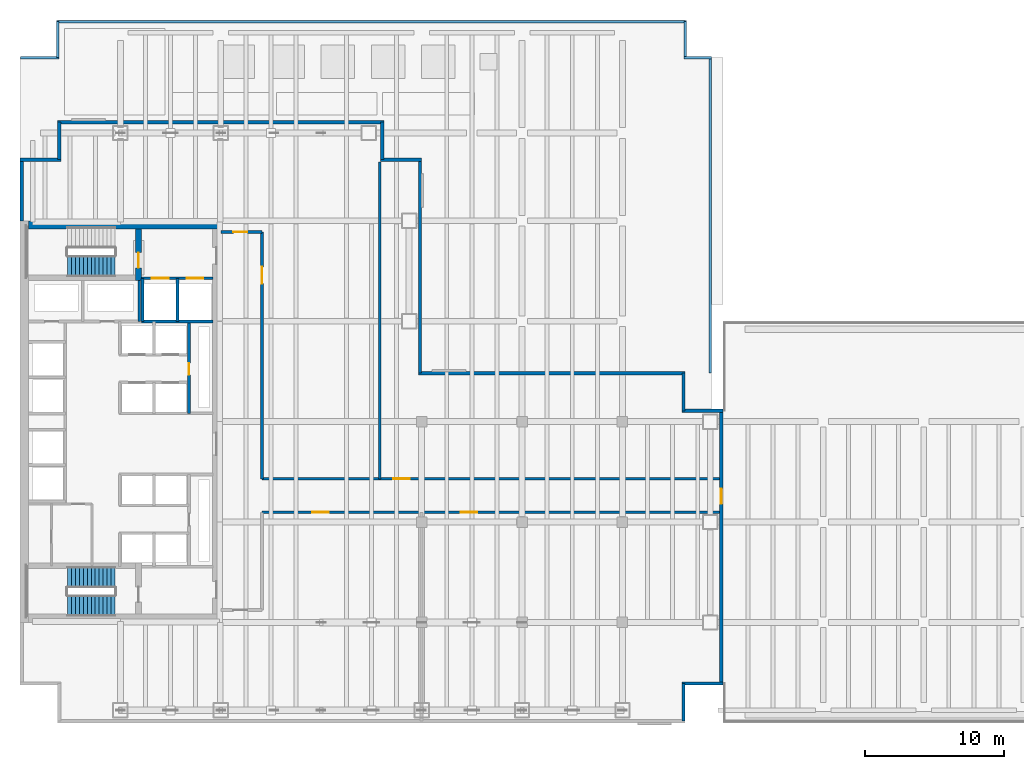
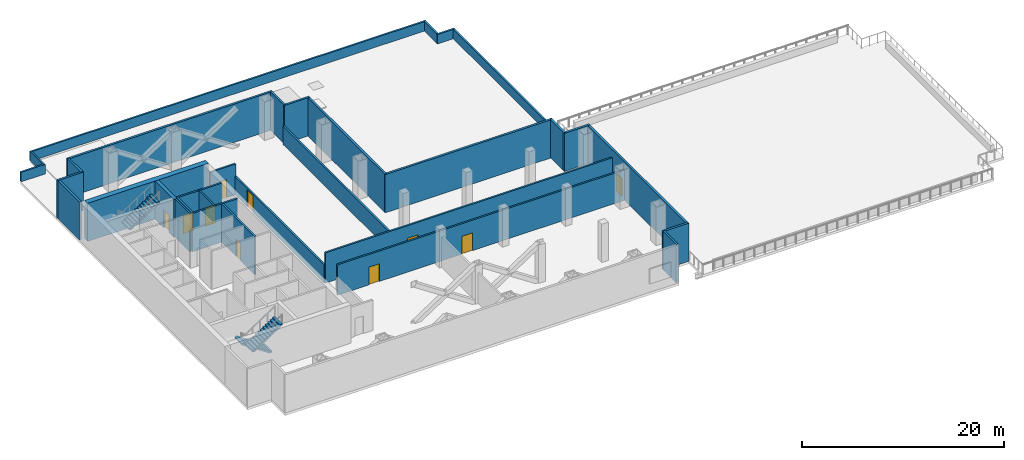
# One storey, part 8 of 12: 32 walls, 10 doors, 3 stair flights, 10 openings, 2 elements without a shape of their own.
"""IFC4 building model written with IfcOpenShell, lengths in metres."""

from ifc_helpers import new_model, si_unit, direction, frame, frame_2d, origin, place, context, subcontext, project, spatial, polyline, rectangle, outline, extrude, material, layer, layer_set, type_object, element, fill, aggregate, save


model = new_model("IFC4")

# Units and contexts
model_context = context("Model", 3, precision=1e-05, world=origin(), true_north=direction((0.0, 1.0)))
body_context = subcontext(model_context, "Body", "Model", "MODEL_VIEW")
ifc_project = project(units=[si_unit("LENGTHUNIT", "METRE"), si_unit("AREAUNIT", "SQUARE_METRE"), si_unit("VOLUMEUNIT", "CUBIC_METRE"), si_unit("PLANEANGLEUNIT", "RADIAN"), si_unit("MASSUNIT", "GRAM", prefix="KILO")], contexts=[model_context])

# Site, building, storey
site_placement = place(None, origin())
site = spatial("IfcSite", under=ifc_project, at=site_placement, CompositionType="ELEMENT")
building_placement = place(site_placement, origin())
building = spatial("IfcBuilding", under=site, at=building_placement, Name="Cobrela Telecom Tower", CompositionType="ELEMENT")
storey_placement = place(building_placement, frame((0.0, 0.0, 26.25)))
storey = spatial("IfcBuildingStorey", under=building, at=storey_placement, Name="L06", CompositionType="ELEMENT", Elevation=26.25)

# Walls
ifc_material_1 = material(Name="Concrete C50/60", Category="concrete")
ifc_layer_1 = layer(ifc_material_1, 0.60009765625)
ifc_layer_set_1 = layer_set([ifc_layer_1], Name="Concrete C50/60")
wall_type_1 = type_object("IfcWallType", Name="WALL-CORE-C50-600", PredefinedType="SHEAR", material=ifc_layer_set_1)
wall_1_placement = place(storey_placement, frame((0.60009765625, 35.699951171875, 0.0), z_axis=(0.0, 0.0, 1.0), x_axis=(1.0, 0.0, 0.0)))
element("IfcWall", 1, at=wall_1_placement, inside=storey, type_object=wall_type_1, Name="L06 North Core Shear Wall", PredefinedType="SHEAR", context=body_context, shape_type="SweptSolid", body=[
    extrude(rectangle(XDim=13.7998046875, YDim=0.60009765625, at=frame_2d((6.89990234375, 0.0))), origin(), (0.0, 0.0, 1.0), 4.6201171875),
])
ifc_material_2 = material(Name="Concrete C40/50", Category="concrete")
ifc_layer_2 = layer(ifc_material_2, 0.239990234375)
ifc_layer_set_2 = layer_set([ifc_layer_2], Name="Concrete C40/50")
wall_type_2 = type_object("IfcWallType", Name="WALL-EXT-300", PredefinedType="STANDARD", material=ifc_layer_set_2)
wall_2_placement = place(storey_placement, frame((0.1201171875, 36.0, 0.0), z_axis=(0.0, 0.0, 1.0), x_axis=(0.0, 1.0, 0.0)))
element("IfcWall", 2, at=wall_2_placement, inside=storey, type_object=wall_type_2, Name="L06 Plant Acoustic Exterior Wall 04", PredefinedType="STANDARD", context=body_context, shape_type="SweptSolid", body=[
    extrude(rectangle(XDim=4.3798828125, YDim=0.239990234375, at=frame_2d((2.18994140625, 0.0))), origin(), (0.0, 0.0, 1.0), 4.6201171875),
])
wall_3_placement = place(storey_placement, frame((0.0, 40.3798828125, 0.0), z_axis=(0.0, 0.0, 1.0), x_axis=(1.0, 0.0, 0.0)))
element("IfcWall", 3, at=wall_3_placement, inside=storey, type_object=wall_type_2, Name="L06 Plant Acoustic Exterior Wall 05", PredefinedType="STANDARD", context=body_context, shape_type="SweptSolid", body=[
    extrude(rectangle(XDim=2.93994140625, YDim=0.239990234375, at=frame_2d((1.469970703125, 0.0))), origin(), (0.0, 0.0, 1.0), 4.6201171875),
])
wall_4_placement = place(storey_placement, frame((2.820068359375, 40.3798828125, 0.0), z_axis=(0.0, 0.0, 1.0), x_axis=(0.0, 1.0, 0.0)))
element("IfcWall", 4, at=wall_4_placement, inside=storey, type_object=wall_type_2, Name="L06 Plant Acoustic Exterior Wall 06", PredefinedType="STANDARD", context=body_context, shape_type="SweptSolid", body=[
    extrude(rectangle(XDim=2.7001953125, YDim=0.239990234375, at=frame_2d((1.35009765625, 0.0))), origin(), (0.0, 0.0, 1.0), 4.6201171875),
])
wall_5_placement = place(storey_placement, frame((2.699951171875, 43.080078125, 0.0), z_axis=(0.0, 0.0, 1.0), x_axis=(1.0, 0.0, 0.0)))
element("IfcWall", 5, at=wall_5_placement, inside=storey, type_object=wall_type_2, Name="L06 Plant Acoustic Exterior Wall 07", PredefinedType="STANDARD", context=body_context, shape_type="SweptSolid", body=[
    extrude(rectangle(XDim=23.400146484375, YDim=0.239990234375, at=frame_2d((11.7001953125, 0.0))), origin(), (0.0, 0.0, 1.0), 4.6201171875),
])
wall_6_placement = place(storey_placement, frame((25.97998046875, 43.080078125, 0.0), z_axis=(0.0, 0.0, 1.0), x_axis=(0.0, -1.0, 0.0)))
element("IfcWall", 6, at=wall_6_placement, inside=storey, type_object=wall_type_2, Name="L06 Plant Acoustic Exterior Wall 08", PredefinedType="STANDARD", context=body_context, shape_type="SweptSolid", body=[
    extrude(rectangle(XDim=2.7001953125, YDim=0.239990234375, at=frame_2d((1.35009765625, 0.0))), origin(), (0.0, 0.0, 1.0), 4.6201171875),
])
wall_7_placement = place(storey_placement, frame((25.860107421875, 40.3798828125, 0.0), z_axis=(0.0, 0.0, 1.0), x_axis=(1.0, 0.0, 0.0)))
element("IfcWall", 7, at=wall_7_placement, inside=storey, type_object=wall_type_2, Name="L06 Plant Acoustic Exterior Wall 09", PredefinedType="STANDARD", context=body_context, shape_type="SweptSolid", body=[
    extrude(rectangle(XDim=2.93994140625, YDim=0.239990234375, at=frame_2d((1.469970703125, 0.0))), origin(), (0.0, 0.0, 1.0), 4.6201171875),
])
wall_8_placement = place(storey_placement, frame((28.679931640625, 40.3798828125, 0.0), z_axis=(0.0, 0.0, 1.0), x_axis=(0.0, -1.0, 0.0)))
element("IfcWall", 8, at=wall_8_placement, inside=storey, type_object=wall_type_2, Name="L06 Plant Acoustic Exterior Wall 10", PredefinedType="STANDARD", context=body_context, shape_type="SweptSolid", body=[
    extrude(rectangle(XDim=15.2998046875, YDim=0.239990234375, at=frame_2d((7.64990234375, 0.0))), origin(), (0.0, 0.0, 1.0), 4.6201171875),
])
wall_9_placement = place(storey_placement, frame((28.56005859375, 25.080078125, 0.0), z_axis=(0.0, 0.0, 1.0), x_axis=(1.0, 0.0, 0.0)))
element("IfcWall", 9, at=wall_9_placement, inside=storey, type_object=wall_type_2, Name="L06 Plant Acoustic Exterior Wall 11", PredefinedType="STANDARD", context=body_context, shape_type="SweptSolid", body=[
    extrude(rectangle(XDim=19.139892578125, YDim=0.239990234375, at=frame_2d((9.56982421875, 0.0))), origin(), (0.0, 0.0, 1.0), 4.6201171875),
])
wall_10_placement = place(storey_placement, frame((47.580078125, 25.080078125, 0.0), z_axis=(0.0, 0.0, 1.0), x_axis=(0.0, -1.0, 0.0)))
element("IfcWall", 10, at=wall_10_placement, inside=storey, type_object=wall_type_2, Name="L06 Plant Acoustic Exterior Wall 12", PredefinedType="STANDARD", context=body_context, shape_type="SweptSolid", body=[
    extrude(rectangle(XDim=2.7001953125, YDim=0.239990234375, at=frame_2d((1.35009765625, 0.0))), origin(), (0.0, 0.0, 1.0), 4.6201171875),
])
wall_11_placement = place(storey_placement, frame((47.4599609375, 22.3798828125, 0.0), z_axis=(0.0, 0.0, 1.0), x_axis=(1.0, 0.0, 0.0)))
element("IfcWall", 11, at=wall_11_placement, inside=storey, type_object=wall_type_2, Name="L06 Plant Acoustic Exterior Wall 13", PredefinedType="STANDARD", context=body_context, shape_type="SweptSolid", body=[
    extrude(rectangle(XDim=2.93994140625, YDim=0.239990234375, at=frame_2d((1.469970703125, 0.0))), origin(), (0.0, 0.0, 1.0), 4.6201171875),
])

# Wall, opening, door
wall_12_placement = place(storey_placement, frame((50.280029296875, 22.3798828125, 0.0), z_axis=(0.0, 0.0, 1.0), x_axis=(0.0, -1.0, 0.0)))
wall_12 = element("IfcWall", 12, at=wall_12_placement, inside=storey, type_object=wall_type_2, Name="L06 Plant Acoustic Exterior Wall 14", PredefinedType="STANDARD", context=body_context, shape_type="SweptSolid", body=[
    extrude(rectangle(XDim=19.559814453125, YDim=0.239990234375, at=frame_2d((9.77978515625, 0.0))), origin(), (0.0, 0.0, 1.0), 4.6201171875),
])
opening_1_placement = place(wall_12_placement, frame((5.580078125, 0.0, 0.0)))
opening_1 = element("IfcOpeningElement", 13, at=opening_1_placement, cuts=wall_12, Name="Opening ED-3", PredefinedType="OPENING", context=body_context, shape_type="SweptSolid", body=[
    extrude(rectangle(XDim=1.10009765625, YDim=2.14990234375, at=frame_2d((0.550048828125, 1.074951171875))), frame((0.0, 0.1318359375, 0.0), z_axis=(0.0, -1.0, 0.0), x_axis=(1.0, 0.0, 0.0)), (0.0, 0.0, 1.0), 0.263916015625),
])
ifc_material_3 = material(Name="Anodized Bronze Aluminium 6063-T6", Category="aluminium")
door_type_1 = type_object("IfcDoorType", Name="DOOR-EXT-1100", OperationType="SINGLE_SWING_LEFT", PredefinedType="DOOR", material=ifc_material_3)
door_1_placement = place(opening_1_placement, origin())
door_1 = element("IfcDoor", 14, at=door_1_placement, inside=storey, type_object=door_type_1, Name="L06 Door ED-3", OperationType="SINGLE_SWING_LEFT", OverallHeight=2.14990234375, OverallWidth=1.10009765625, PredefinedType="DOOR", context=body_context, shape_type="SweptSolid", body=[
    extrude(rectangle(XDim=1.10009765625, YDim=2.14990234375, at=frame_2d((0.550048828125, 1.074951171875))), frame((0.0, 0.02490234375, 0.0), z_axis=(0.0, -1.0, 0.0), x_axis=(1.0, 0.0, 0.0)), (0.0, 0.0, 1.0), 0.050048828125),
])
fill(opening_1, door_1)

# Walls
wall_13_placement = place(storey_placement, frame((50.39990234375, 2.820068359375, 0.0), z_axis=(0.0, 0.0, 1.0), x_axis=(-1.0, 0.0, 0.0)))
element("IfcWall", 15, at=wall_13_placement, inside=storey, type_object=wall_type_2, Name="L06 Plant Acoustic Exterior Wall 15", PredefinedType="STANDARD", context=body_context, shape_type="SweptSolid", body=[
    extrude(rectangle(XDim=2.93994140625, YDim=0.239990234375, at=frame_2d((1.469970703125, 0.0))), origin(), (0.0, 0.0, 1.0), 4.6201171875),
])
wall_14_placement = place(storey_placement, frame((47.580078125, 2.820068359375, 0.0), z_axis=(0.0, 0.0, 1.0), x_axis=(0.0, -1.0, 0.0)))
element("IfcWall", 16, at=wall_14_placement, inside=storey, type_object=wall_type_2, Name="L06 Plant Acoustic Exterior Wall 16", PredefinedType="STANDARD", context=body_context, shape_type="SweptSolid", body=[
    extrude(rectangle(XDim=2.699951171875, YDim=0.239990234375, at=frame_2d((1.35009765625, 0.0))), origin(), (0.0, 0.0, 1.0), 4.6201171875),
])
ifc_layer_3 = layer(ifc_material_2, 0.199951171875)
ifc_layer_set_3 = layer_set([ifc_layer_3], Name="Concrete C40/50")
wall_type_3 = type_object("IfcWallType", Name="WALL-PAR-200", PredefinedType="PARAPET", material=ifc_layer_set_3)
wall_15_placement = place(storey_placement, frame((0.02001953125, 47.699951171875, 0.0), z_axis=(0.0, 0.0, 1.0), x_axis=(1.0, 0.0, 0.0)))
element("IfcWall", 17, at=wall_15_placement, inside=storey, type_object=wall_type_3, Name="L06 North Podium Roof Parapet Wall 1", PredefinedType="PARAPET", context=body_context, shape_type="SweptSolid", body=[
    extrude(rectangle(XDim=2.780029296875, YDim=0.199951171875, at=frame_2d((1.39013671875, 0.0))), origin(), (0.0, 0.0, 1.0), 1.14990234375),
])
wall_16_placement = place(storey_placement, frame((2.699951171875, 47.699951171875, 0.0), z_axis=(0.0, 0.0, 1.0), x_axis=(0.0, 1.0, 0.0)))
element("IfcWall", 18, at=wall_16_placement, inside=storey, type_object=wall_type_3, Name="L06 North Podium Roof Parapet Wall 2", PredefinedType="PARAPET", context=body_context, shape_type="SweptSolid", body=[
    extrude(rectangle(XDim=2.580078125, YDim=0.199951171875, at=frame_2d((1.2900390625, 0.0))), origin(), (0.0, 0.0, 1.0), 1.14990234375),
])
wall_17_placement = place(storey_placement, frame((2.60009765625, 50.280029296875, 0.0), z_axis=(0.0, 0.0, 1.0), x_axis=(1.0, 0.0, 0.0)))
element("IfcWall", 19, at=wall_17_placement, inside=storey, type_object=wall_type_3, Name="L06 North Podium Roof Parapet Wall 3", PredefinedType="PARAPET", context=body_context, shape_type="SweptSolid", body=[
    extrude(rectangle(XDim=45.199951171875, YDim=0.199951171875, at=frame_2d((22.60009765625, 0.0))), origin(), (0.0, 0.0, 1.0), 1.14990234375),
])
wall_18_placement = place(storey_placement, frame((47.699951171875, 50.280029296875, 0.0), z_axis=(0.0, 0.0, 1.0), x_axis=(0.0, -1.0, 0.0)))
element("IfcWall", 20, at=wall_18_placement, inside=storey, type_object=wall_type_3, Name="L06 North Podium Roof Parapet Wall 4", PredefinedType="PARAPET", context=body_context, shape_type="SweptSolid", body=[
    extrude(rectangle(XDim=2.580078125, YDim=0.199951171875, at=frame_2d((1.2900390625, 0.0))), origin(), (0.0, 0.0, 1.0), 1.14990234375),
])
wall_19_placement = place(storey_placement, frame((47.60009765625, 47.699951171875, 0.0), z_axis=(0.0, 0.0, 1.0), x_axis=(1.0, 0.0, 0.0)))
element("IfcWall", 21, at=wall_19_placement, inside=storey, type_object=wall_type_3, Name="L06 North Podium Roof Parapet Wall 5", PredefinedType="PARAPET", context=body_context, shape_type="SweptSolid", body=[
    extrude(rectangle(XDim=2.0, YDim=0.199951171875, at=frame_2d((1.0, 0.0))), origin(), (0.0, 0.0, 1.0), 1.14990234375),
])
wall_20_placement = place(storey_placement, frame((49.5, 47.699951171875, 0.0), z_axis=(0.0, 0.0, 1.0), x_axis=(0.0, -1.0, 0.0)))
element("IfcWall", 22, at=wall_20_placement, inside=storey, type_object=wall_type_3, Name="L06 North Podium Roof Parapet Wall 6", PredefinedType="PARAPET", context=body_context, shape_type="SweptSolid", body=[
    extrude(rectangle(XDim=22.599853515625, YDim=0.199951171875, at=frame_2d((11.2998046875, 0.0))), origin(), (0.0, 0.0, 1.0), 1.14990234375),
])

# Wall, openings, doors
ifc_material_4 = material(Name="Fire-Rated Gypsum Plasterboard")
ifc_layer_4 = layer(ifc_material_4, 0.199951171875)
ifc_layer_set_4 = layer_set([ifc_layer_4], Name="Fire-Rated Gypsum Plasterboard")
wall_type_4 = type_object("IfcWallType", Name="WALL-SHAFT-200", PredefinedType="PARTITIONING", material=ifc_layer_set_4)
wall_21_placement = place(storey_placement, frame((8.699951171875, 31.8798828125, 0.0), z_axis=(0.0, 0.0, 1.0), x_axis=(1.0, 0.0, 0.0)))
wall_21 = element("IfcWall", 23, at=wall_21_placement, inside=storey, type_object=wall_type_4, Name="L06 Shaft Enclosure CW-FFL-S", PredefinedType="PARTITIONING", context=body_context, shape_type="SweptSolid", body=[
    extrude(rectangle(XDim=5.150146484375, YDim=0.199951171875, at=frame_2d((2.5751953125, 0.0))), origin(), (0.0, 0.0, 1.0), 4.6201171875),
])
opening_2_placement = place(wall_21_placement, frame((0.75, 0.0, 0.0)))
opening_2 = element("IfcOpeningElement", 24, at=opening_2_placement, cuts=wall_21, Name="Opening LD-2", PredefinedType="OPENING", context=body_context, shape_type="SweptSolid", body=[
    extrude(rectangle(XDim=1.199951171875, YDim=2.199951171875, at=frame_2d((0.60009765625, 1.10009765625))), frame((0.0, 0.11181640625, 0.0), z_axis=(0.0, -1.0, 0.0), x_axis=(1.0, 0.0, 0.0)), (0.0, 0.0, 1.0), 0.223876953125),
])
opening_3_placement = place(wall_21_placement, frame((3.25, 0.0, 0.0)))
opening_3 = element("IfcOpeningElement", 25, at=opening_3_placement, cuts=wall_21, Name="Opening LD-2", PredefinedType="OPENING", context=body_context, shape_type="SweptSolid", body=[
    extrude(rectangle(XDim=1.199951171875, YDim=2.199951171875, at=frame_2d((0.60009765625, 1.10009765625))), frame((0.0, 0.11181640625, 0.0), z_axis=(0.0, -1.0, 0.0), x_axis=(1.0, 0.0, 0.0)), (0.0, 0.0, 1.0), 0.223876953125),
])
ifc_material_5 = material(Name="Steel ASTM A36", Category="steel")
door_type_2 = type_object("IfcDoorType", Name="DOOR-LD-FFL", OperationType="SINGLE_SWING_LEFT", PredefinedType="DOOR", material=ifc_material_5)
door_2_placement = place(opening_2_placement, origin())
door_2 = element("IfcDoor", 26, at=door_2_placement, inside=storey, type_object=door_type_2, Name="L06 Lift Landing Door LD-2", OperationType="DOUBLE_DOOR_SLIDING", OverallHeight=2.199951171875, OverallWidth=1.199951171875, PredefinedType="DOOR", context=body_context, shape_type="SweptSolid", body=[
    extrude(rectangle(XDim=1.199951171875, YDim=2.199951171875, at=frame_2d((0.60009765625, 1.10009765625))), frame((0.0, 0.02490234375, 0.0), z_axis=(0.0, -1.0, 0.0), x_axis=(1.0, 0.0, 0.0)), (0.0, 0.0, 1.0), 0.050048828125),
])
fill(opening_2, door_2)
door_3_placement = place(opening_3_placement, origin())
door_3 = element("IfcDoor", 27, at=door_3_placement, inside=storey, type_object=door_type_2, Name="L06 Lift Landing Door LD-2", OperationType="DOUBLE_DOOR_SLIDING", OverallHeight=2.199951171875, OverallWidth=1.199951171875, PredefinedType="DOOR", context=body_context, shape_type="SweptSolid", body=[
    extrude(rectangle(XDim=1.199951171875, YDim=2.199951171875, at=frame_2d((0.60009765625, 1.10009765625))), frame((0.0, 0.02490234375, 0.0), z_axis=(0.0, -1.0, 0.0), x_axis=(1.0, 0.0, 0.0)), (0.0, 0.0, 1.0), 0.050048828125),
])
fill(opening_3, door_3)

# Walls
wall_22_placement = place(storey_placement, frame((8.699951171875, 28.780029296875, 0.0), z_axis=(0.0, 0.0, 1.0), x_axis=(1.0, 0.0, 0.0)))
element("IfcWall", 28, at=wall_22_placement, inside=storey, type_object=wall_type_4, Name="L06 Shaft Enclosure CW-FFL-S2", PredefinedType="PARTITIONING", context=body_context, shape_type="SweptSolid", body=[
    extrude(rectangle(XDim=5.150146484375, YDim=0.199951171875, at=frame_2d((2.5751953125, 0.0))), origin(), (0.0, 0.0, 1.0), 4.6201171875),
])
for number, where, z_axis, x_axis, name in (
    (29, (8.780029296875, 28.780029296875, 0.0), (0.0, 0.0, 1.0), (0.0, 1.0, 0.0), "L06 Shaft Enclosure CW-FFL-W"),
    (30, (11.300048828125, 28.780029296875, 0.0), (0.0, 0.0, 1.0), (0.0, 1.0, 0.0), "L06 Shaft Enclosure CW-FFL-M"),
):
    element("IfcWall", number, at=place(storey_placement, frame(where, z_axis=z_axis, x_axis=x_axis)), inside=storey, type_object=wall_type_4, Name=name, PredefinedType="PARTITIONING", context=body_context, shape_type="SweptSolid", body=[
        extrude(rectangle(XDim=3.099853515625, YDim=0.199951171875, at=frame_2d((1.5498046875, 0.0))), origin(), (0.0, 0.0, 1.0), 4.6201171875),
    ])
wall_23_placement = place(storey_placement, frame((8.550048828125, 28.780029296875, 0.0), z_axis=(0.0, 0.0, 1.0), x_axis=(0.0, 1.0, 0.0)))
element("IfcWall", 31, at=wall_23_placement, inside=storey, type_object=wall_type_4, Name="L06 Shaft Enclosure CW-RIS-E", PredefinedType="PARTITIONING", context=body_context, shape_type="SweptSolid", body=[
    extrude(rectangle(XDim=2.93994140625, YDim=0.199951171875, at=frame_2d((1.469970703125, 0.0))), origin(), (0.0, 0.0, 1.0), 4.6201171875),
])

# Wall, opening, door
wall_24_placement = place(storey_placement, frame((12.1201171875, 22.199951171875, 0.0), z_axis=(0.0, 0.0, 1.0), x_axis=(0.0, 1.0, 0.0)))
wall_24 = element("IfcWall", 32, at=wall_24_placement, inside=storey, type_object=wall_type_4, Name="L06 Shaft Enclosure CW-PLL-V3", PredefinedType="PARTITIONING", context=body_context, shape_type="SweptSolid", body=[
    extrude(rectangle(XDim=6.580078125, YDim=0.199951171875, at=frame_2d((3.2900390625, 0.0))), origin(), (0.0, 0.0, 1.0), 4.6201171875),
])
opening_4_placement = place(wall_24_placement, frame((2.75, 0.0, 0.0)))
opening_4 = element("IfcOpeningElement", 33, at=opening_4_placement, cuts=wall_24, Name="Opening DR-11", PredefinedType="OPENING", context=body_context, shape_type="SweptSolid", body=[
    extrude(rectangle(XDim=0.85009765625, YDim=2.14990234375, at=frame_2d((0.425048828125, 1.074951171875))), frame((0.0, 0.11181640625, 0.0), z_axis=(0.0, -1.0, 0.0), x_axis=(1.0, 0.0, 0.0)), (0.0, 0.0, 1.0), 0.223876953125),
])
ifc_material_6 = material(Name="Solid Engineered Oak Timber", Category="wood")
door_type_3 = type_object("IfcDoorType", Name="DOOR-INT-850", OperationType="SINGLE_SWING_LEFT", PredefinedType="DOOR", material=ifc_material_6)
door_4_placement = place(opening_4_placement, origin())
door_4 = element("IfcDoor", 34, at=door_4_placement, inside=storey, type_object=door_type_3, Name="L06 Door DR-11", OperationType="SINGLE_SWING_LEFT", OverallHeight=2.14990234375, OverallWidth=0.85009765625, PredefinedType="DOOR", context=body_context, shape_type="SweptSolid", body=[
    extrude(rectangle(XDim=0.85009765625, YDim=2.14990234375, at=frame_2d((0.425048828125, 1.074951171875))), frame((0.0, 0.02490234375, 0.0), z_axis=(0.0, -1.0, 0.0), x_axis=(1.0, 0.0, 0.0)), (0.0, 0.0, 1.0), 0.050048828125),
])
fill(opening_4, door_4)

wall_25_placement = place(storey_placement, frame((14.39990234375, 35.199951171875, 0.0), z_axis=(0.0, 0.0, 1.0), x_axis=(1.0, 0.0, 0.0)))
wall_25 = element("IfcWall", 35, at=wall_25_placement, inside=storey, type_object=wall_type_4, Name="L06 Shaft Enclosure W-MP-N0", PredefinedType="PARTITIONING", context=body_context, shape_type="SweptSolid", body=[
    extrude(rectangle(XDim=2.9501953125, YDim=0.199951171875, at=frame_2d((1.47509765625, 0.0))), origin(), (0.0, 0.0, 1.0), 3.677978515625),
])
opening_5_placement = place(wall_25_placement, frame((0.89990234375, 0.0, 0.0)))
opening_5 = element("IfcOpeningElement", 36, at=opening_5_placement, cuts=wall_25, Name="Opening DR-15", PredefinedType="OPENING", context=body_context, shape_type="SweptSolid", body=[
    extrude(rectangle(XDim=1.0, YDim=2.14990234375, at=frame_2d((0.5, 1.074951171875))), frame((0.0, 0.11181640625, 0.0), z_axis=(0.0, -1.0, 0.0), x_axis=(1.0, 0.0, 0.0)), (0.0, 0.0, 1.0), 0.223876953125),
])
door_type_4 = type_object("IfcDoorType", Name="DOOR-FD60-1000", OperationType="SINGLE_SWING_LEFT", PredefinedType="DOOR", material=ifc_material_5)
door_5_placement = place(opening_5_placement, origin())
door_5 = element("IfcDoor", 37, at=door_5_placement, inside=storey, type_object=door_type_4, Name="L06 Door DR-15", OperationType="SINGLE_SWING_RIGHT", OverallHeight=2.14990234375, OverallWidth=1.0, PredefinedType="DOOR", context=body_context, shape_type="SweptSolid", body=[
    extrude(rectangle(XDim=1.0, YDim=2.14990234375, at=frame_2d((0.5, 1.074951171875))), frame((0.0, 0.02490234375, 0.0), z_axis=(0.0, -1.0, 0.0), x_axis=(1.0, 0.0, 0.0)), (0.0, 0.0, 1.0), 0.050048828125),
])
fill(opening_5, door_5)

wall_26_placement = place(storey_placement, frame((17.35009765625, 17.5, 0.0), z_axis=(0.0, 0.0, 1.0), x_axis=(0.0, 1.0, 0.0)))
wall_26 = element("IfcWall", 38, at=wall_26_placement, inside=storey, type_object=wall_type_4, Name="L06 Shaft Enclosure W-MP-E2", PredefinedType="PARTITIONING", context=body_context, shape_type="SweptSolid", body=[
    extrude(rectangle(XDim=17.699951171875, YDim=0.199951171875, at=frame_2d((8.85009765625, 0.0))), origin(), (0.0, 0.0, 1.0), 2.205078125),
])
opening_6_placement = place(wall_26_placement, frame((14.0, 0.0, 0.0)))
opening_6 = element("IfcOpeningElement", 39, at=opening_6_placement, cuts=wall_26, Name="Opening DR-71", PredefinedType="OPENING", context=body_context, shape_type="SweptSolid", body=[
    extrude(rectangle(XDim=1.199951171875, YDim=2.02001953125, at=frame_2d((0.60009765625, 1.010009765625))), frame((0.0, 0.11181640625, 0.0), z_axis=(0.0, -1.0, 0.0), x_axis=(1.0, 0.0, 0.0)), (0.0, 0.0, 1.0), 0.223876953125),
])
door_type_5 = type_object("IfcDoorType", Name="DOOR-LOW-1200", OperationType="SINGLE_SWING_LEFT", PredefinedType="DOOR", material=ifc_material_5)
door_6_placement = place(opening_6_placement, origin())
door_6 = element("IfcDoor", 40, at=door_6_placement, inside=storey, type_object=door_type_5, Name="L06 Door DR-71", OperationType="SINGLE_SWING_LEFT", OverallHeight=2.02001953125, OverallWidth=1.199951171875, PredefinedType="DOOR", context=body_context, shape_type="SweptSolid", body=[
    extrude(rectangle(XDim=1.199951171875, YDim=2.02001953125, at=frame_2d((0.60009765625, 1.010009765625))), frame((0.0, 0.02490234375, 0.0), z_axis=(0.0, -1.0, 0.0), x_axis=(1.0, 0.0, 0.0)), (0.0, 0.0, 1.0), 0.050048828125),
])
fill(opening_6, door_6)

# Wall, openings, doors
wall_27_placement = place(storey_placement, frame((17.35009765625, 15.10009765625, 0.0), z_axis=(0.0, 0.0, 1.0), x_axis=(1.0, 0.0, 0.0)))
wall_27 = element("IfcWall", 41, at=wall_27_placement, inside=storey, type_object=wall_type_4, Name="L06 Shaft Enclosure W-MP-HS", PredefinedType="PARTITIONING", context=body_context, shape_type="SweptSolid", body=[
    extrude(rectangle(XDim=32.889892578125, YDim=0.199951171875, at=frame_2d((16.44482421875, 0.0))), origin(), (0.0, 0.0, 1.0), 3.677978515625),
])
opening_7_placement = place(wall_27_placement, frame((3.60009765625, 0.0, 0.0)))
opening_7 = element("IfcOpeningElement", 42, at=opening_7_placement, cuts=wall_27, Name="Opening DR-19", PredefinedType="OPENING", context=body_context, shape_type="SweptSolid", body=[
    extrude(rectangle(XDim=1.199951171875, YDim=2.14990234375, at=frame_2d((0.60009765625, 1.074951171875))), frame((0.0, 0.11181640625, 0.0), z_axis=(0.0, -1.0, 0.0), x_axis=(1.0, 0.0, 0.0)), (0.0, 0.0, 1.0), 0.223876953125),
])
opening_8_placement = place(wall_27_placement, frame((14.25, 0.0, 0.0)))
opening_8 = element("IfcOpeningElement", 43, at=opening_8_placement, cuts=wall_27, Name="Opening DR-19", PredefinedType="OPENING", context=body_context, shape_type="SweptSolid", body=[
    extrude(rectangle(XDim=1.199951171875, YDim=2.14990234375, at=frame_2d((0.60009765625, 1.074951171875))), frame((0.0, 0.11181640625, 0.0), z_axis=(0.0, -1.0, 0.0), x_axis=(1.0, 0.0, 0.0)), (0.0, 0.0, 1.0), 0.223876953125),
])
door_type_6 = type_object("IfcDoorType", Name="DOOR-FD60-1200", OperationType="SINGLE_SWING_LEFT", PredefinedType="DOOR", material=ifc_material_5)
door_7_placement = place(opening_7_placement, origin())
door_7 = element("IfcDoor", 44, at=door_7_placement, inside=storey, type_object=door_type_6, Name="L06 Door DR-19", OperationType="SINGLE_SWING_LEFT", OverallHeight=2.14990234375, OverallWidth=1.199951171875, PredefinedType="DOOR", context=body_context, shape_type="SweptSolid", body=[
    extrude(rectangle(XDim=1.199951171875, YDim=2.14990234375, at=frame_2d((0.60009765625, 1.074951171875))), frame((0.0, 0.02490234375, 0.0), z_axis=(0.0, -1.0, 0.0), x_axis=(1.0, 0.0, 0.0)), (0.0, 0.0, 1.0), 0.050048828125),
])
fill(opening_7, door_7)
door_8_placement = place(opening_8_placement, origin())
door_8 = element("IfcDoor", 45, at=door_8_placement, inside=storey, type_object=door_type_6, Name="L06 Door DR-19", OperationType="SINGLE_SWING_RIGHT", OverallHeight=2.14990234375, OverallWidth=1.199951171875, PredefinedType="DOOR", context=body_context, shape_type="SweptSolid", body=[
    extrude(rectangle(XDim=1.199951171875, YDim=2.14990234375, at=frame_2d((0.60009765625, 1.074951171875))), frame((0.0, 0.02490234375, 0.0), z_axis=(0.0, -1.0, 0.0), x_axis=(1.0, 0.0, 0.0)), (0.0, 0.0, 1.0), 0.050048828125),
])
fill(opening_8, door_8)

# Wall, opening, door
wall_28_placement = place(storey_placement, frame((17.35009765625, 17.5, 0.0), z_axis=(0.0, 0.0, 1.0), x_axis=(1.0, 0.0, 0.0)))
wall_28 = element("IfcWall", 46, at=wall_28_placement, inside=storey, type_object=wall_type_4, Name="L06 Shaft Enclosure W-MP-HN", PredefinedType="PARTITIONING", context=body_context, shape_type="SweptSolid", body=[
    extrude(rectangle(XDim=32.889892578125, YDim=0.199951171875, at=frame_2d((16.44482421875, 0.0))), origin(), (0.0, 0.0, 1.0), 3.677978515625),
])
opening_9_placement = place(wall_28_placement, frame((9.39990234375, 0.0, 0.0)))
opening_9 = element("IfcOpeningElement", 47, at=opening_9_placement, cuts=wall_28, Name="Opening DR-19", PredefinedType="OPENING", context=body_context, shape_type="SweptSolid", body=[
    extrude(rectangle(XDim=1.199951171875, YDim=2.14990234375, at=frame_2d((0.60009765625, 1.074951171875))), frame((0.0, 0.11181640625, 0.0), z_axis=(0.0, -1.0, 0.0), x_axis=(1.0, 0.0, 0.0)), (0.0, 0.0, 1.0), 0.223876953125),
])
door_9_placement = place(opening_9_placement, origin())
door_9 = element("IfcDoor", 48, at=door_9_placement, inside=storey, type_object=door_type_6, Name="L06 Door DR-19", OperationType="SINGLE_SWING_RIGHT", OverallHeight=2.14990234375, OverallWidth=1.199951171875, PredefinedType="DOOR", context=body_context, shape_type="SweptSolid", body=[
    extrude(rectangle(XDim=1.199951171875, YDim=2.14990234375, at=frame_2d((0.60009765625, 1.074951171875))), frame((0.0, 0.02490234375, 0.0), z_axis=(0.0, -1.0, 0.0), x_axis=(1.0, 0.0, 0.0)), (0.0, 0.0, 1.0), 0.050048828125),
])
fill(opening_9, door_9)

# Wall
wall_29_placement = place(storey_placement, frame((25.800048828125, 17.5, 0.0), z_axis=(0.0, 0.0, 1.0), x_axis=(0.0, 1.0, 0.0)))
element("IfcWall", 49, at=wall_29_placement, inside=storey, type_object=wall_type_4, Name="L06 Shaft Enclosure W-MP-V2", PredefinedType="PARTITIONING", context=body_context, shape_type="SweptSolid", body=[
    extrude(rectangle(XDim=22.72998046875, YDim=0.199951171875, at=frame_2d((11.364990234375, 0.0))), origin(), (0.0, 0.0, 1.0), 2.205078125),
])

# Wall, opening, door
ifc_layer_5 = layer(ifc_material_2, 0.39990234375)
ifc_layer_set_5 = layer_set([ifc_layer_5], Name="Concrete C40/50")
wall_type_5 = type_object("IfcWallType", Name="WALL-SHAFT-C40-400", PredefinedType="SHEAR", material=ifc_layer_set_5)
wall_30_placement = place(storey_placement, frame((8.5, 31.719970703125, 0.0), z_axis=(0.0, 0.0, 1.0), x_axis=(0.0, 1.0, 0.0)))
wall_30 = element("IfcWall", 50, at=wall_30_placement, inside=storey, type_object=wall_type_5, Name="L06 North Stair Lobby Shear Wall", PredefinedType="SHEAR", context=body_context, shape_type="SweptSolid", body=[
    extrude(rectangle(XDim=3.679931640625, YDim=0.39990234375, at=frame_2d((1.83984375, 0.0))), origin(), (0.0, 0.0, 1.0), 4.6201171875),
])
opening_10_placement = place(wall_30_placement, frame((0.89990234375, 0.0, 0.0)))
opening_10 = element("IfcOpeningElement", 51, at=opening_10_placement, cuts=wall_30, Name="Opening DR-59", PredefinedType="OPENING", context=body_context, shape_type="SweptSolid", body=[
    extrude(rectangle(XDim=1.10009765625, YDim=2.14990234375, at=frame_2d((0.550048828125, 1.074951171875))), frame((0.0, 0.2119140625, 0.0), z_axis=(0.0, -1.0, 0.0), x_axis=(1.0, 0.0, 0.0)), (0.0, 0.0, 1.0), 0.423828125),
])
door_type_7 = type_object("IfcDoorType", Name="DOOR-FD60-1100", OperationType="SINGLE_SWING_LEFT", PredefinedType="DOOR", material=ifc_material_5)
door_10_placement = place(opening_10_placement, origin())
door_10 = element("IfcDoor", 52, at=door_10_placement, inside=storey, type_object=door_type_7, Name="L06 Door DR-59", OperationType="SINGLE_SWING_RIGHT", OverallHeight=2.14990234375, OverallWidth=1.10009765625, PredefinedType="DOOR", context=body_context, shape_type="SweptSolid", body=[
    extrude(rectangle(XDim=1.10009765625, YDim=2.14990234375, at=frame_2d((0.550048828125, 1.074951171875))), frame((0.0, 0.02490234375, 0.0), z_axis=(0.0, -1.0, 0.0), x_axis=(1.0, 0.0, 0.0)), (0.0, 0.0, 1.0), 0.050048828125),
])
fill(opening_10, door_10)

# Stair, stair flight
stair_type = type_object("IfcStairType", Name="STAIR-CORE", PredefinedType="HALF_TURN_STAIR", material=ifc_material_2)
stair_1_placement = place(storey_placement, origin())
stair_1 = element("IfcStair", 53, at=stair_1_placement, inside=storey, type_object=stair_type, Name="L06 Smokeproof Exit Stair ST1", PredefinedType="HALF_TURN_STAIR")
stair_flight_type = type_object("IfcStairFlightType", Name="FLIGHT-CORE", PredefinedType="STRAIGHT", material=ifc_material_2)
stair_flight_1_placement = place(storey_placement, frame((3.39990234375, 32.75, 2.449951171875), z_axis=(0.0, 0.0, 1.0), x_axis=(1.0, 0.0, 0.0)))
stair_flight_1 = element("IfcStairFlight", 54, at=stair_flight_1_placement, type_object=stair_flight_type, Name="ST1 flight 2", NumberOfRisers=13, NumberOfTreads=12, PredefinedType="STRAIGHT", RiserHeight=0.188461538, TreadLength=0.285, context=body_context, shape_type="SweptSolid", body=[
    extrude(outline(polyline([(0.0, 0.0), (0.0, 0.1884765625), (0.284912109375, 0.1884765625), (0.284912109375, 0.376953125), (0.570068359375, 0.376953125), (0.570068359375, 0.5654296875), (0.85498046875, 0.5654296875), (0.85498046875, 0.75390625), (1.139892578125, 0.75390625), (1.139892578125, 0.9423828125), (1.425048828125, 0.9423828125), (1.425048828125, 1.130859375), (1.7099609375, 1.130859375), (1.7099609375, 1.3193359375), (1.9951171875, 1.3193359375), (1.9951171875, 1.5078125), (2.280029296875, 1.5078125), (2.280029296875, 1.696044921875), (2.56494140625, 1.696044921875), (2.56494140625, 1.884521484375), (2.85009765625, 1.884521484375), (2.85009765625, 2.072998046875), (3.135009765625, 2.072998046875), (3.135009765625, 2.261474609375), (3.419921875, 2.261474609375), (3.419921875, 2.449951171875), (3.419921875, 2.081787109375), (0.271728515625, 0.0), (0.0, 0.0)])), frame((0.0, 0.75, 0.0), z_axis=(0.0, -1.0, 0.0), x_axis=(1.0, 0.0, 0.0)), (0.0, 0.0, 1.0), 1.5),
])
aggregate(stair_1, [stair_flight_1])

# Stair, stair flights
stair_2_placement = place(storey_placement, origin())
stair_2 = element("IfcStair", 55, at=stair_2_placement, inside=storey, type_object=stair_type, Name="L06 Smokeproof Exit Stair ST2", PredefinedType="HALF_TURN_STAIR")
stair_flight_2_placement = place(storey_placement, frame((6.820068359375, 10.449951171875, 0.0), z_axis=(0.0, 0.0, 1.0), x_axis=(-1.0, 0.0, 0.0)))
stair_flight_2 = element("IfcStairFlight", 56, at=stair_flight_2_placement, type_object=stair_flight_type, Name="ST2 flight 1", NumberOfRisers=13, NumberOfTreads=12, PredefinedType="STRAIGHT", RiserHeight=0.188461538, TreadLength=0.285, context=body_context, shape_type="SweptSolid", body=[
    extrude(outline(polyline([(0.0, 0.0), (0.0, 0.1884765625), (0.284912109375, 0.1884765625), (0.284912109375, 0.376953125), (0.570068359375, 0.376953125), (0.570068359375, 0.5654296875), (0.85498046875, 0.5654296875), (0.85498046875, 0.75390625), (1.139892578125, 0.75390625), (1.139892578125, 0.9423828125), (1.425048828125, 0.9423828125), (1.425048828125, 1.130859375), (1.7099609375, 1.130859375), (1.7099609375, 1.3193359375), (1.9951171875, 1.3193359375), (1.9951171875, 1.5078125), (2.280029296875, 1.5078125), (2.280029296875, 1.696044921875), (2.56494140625, 1.696044921875), (2.56494140625, 1.884521484375), (2.85009765625, 1.884521484375), (2.85009765625, 2.072998046875), (3.135009765625, 2.072998046875), (3.135009765625, 2.261474609375), (3.419921875, 2.261474609375), (3.419921875, 2.449951171875), (3.419921875, 2.081787109375), (0.271728515625, 0.0), (0.0, 0.0)])), frame((0.0, 0.75, 0.0), z_axis=(0.0, -1.0, 0.0), x_axis=(1.0, 0.0, 0.0)), (0.0, 0.0, 1.0), 1.5),
])
stair_flight_3_placement = place(storey_placement, frame((3.39990234375, 8.39990234375, 2.449951171875), z_axis=(0.0, 0.0, 1.0), x_axis=(1.0, 0.0, 0.0)))
stair_flight_3 = element("IfcStairFlight", 57, at=stair_flight_3_placement, type_object=stair_flight_type, Name="ST2 flight 2", NumberOfRisers=13, NumberOfTreads=12, PredefinedType="STRAIGHT", RiserHeight=0.188461538, TreadLength=0.285, context=body_context, shape_type="SweptSolid", body=[
    extrude(outline(polyline([(0.0, 0.0), (0.0, 0.1884765625), (0.284912109375, 0.1884765625), (0.284912109375, 0.376953125), (0.570068359375, 0.376953125), (0.570068359375, 0.5654296875), (0.85498046875, 0.5654296875), (0.85498046875, 0.75390625), (1.139892578125, 0.75390625), (1.139892578125, 0.9423828125), (1.425048828125, 0.9423828125), (1.425048828125, 1.130859375), (1.7099609375, 1.130859375), (1.7099609375, 1.3193359375), (1.9951171875, 1.3193359375), (1.9951171875, 1.5078125), (2.280029296875, 1.5078125), (2.280029296875, 1.696044921875), (2.56494140625, 1.696044921875), (2.56494140625, 1.884521484375), (2.85009765625, 1.884521484375), (2.85009765625, 2.072998046875), (3.135009765625, 2.072998046875), (3.135009765625, 2.261474609375), (3.419921875, 2.261474609375), (3.419921875, 2.449951171875), (3.419921875, 2.081787109375), (0.271728515625, 0.0), (0.0, 0.0)])), frame((0.0, 0.75, 0.0), z_axis=(0.0, -1.0, 0.0), x_axis=(1.0, 0.0, 0.0)), (0.0, 0.0, 1.0), 1.5),
])
aggregate(stair_2, [stair_flight_2, stair_flight_3])

save(model, "model.ifc")
